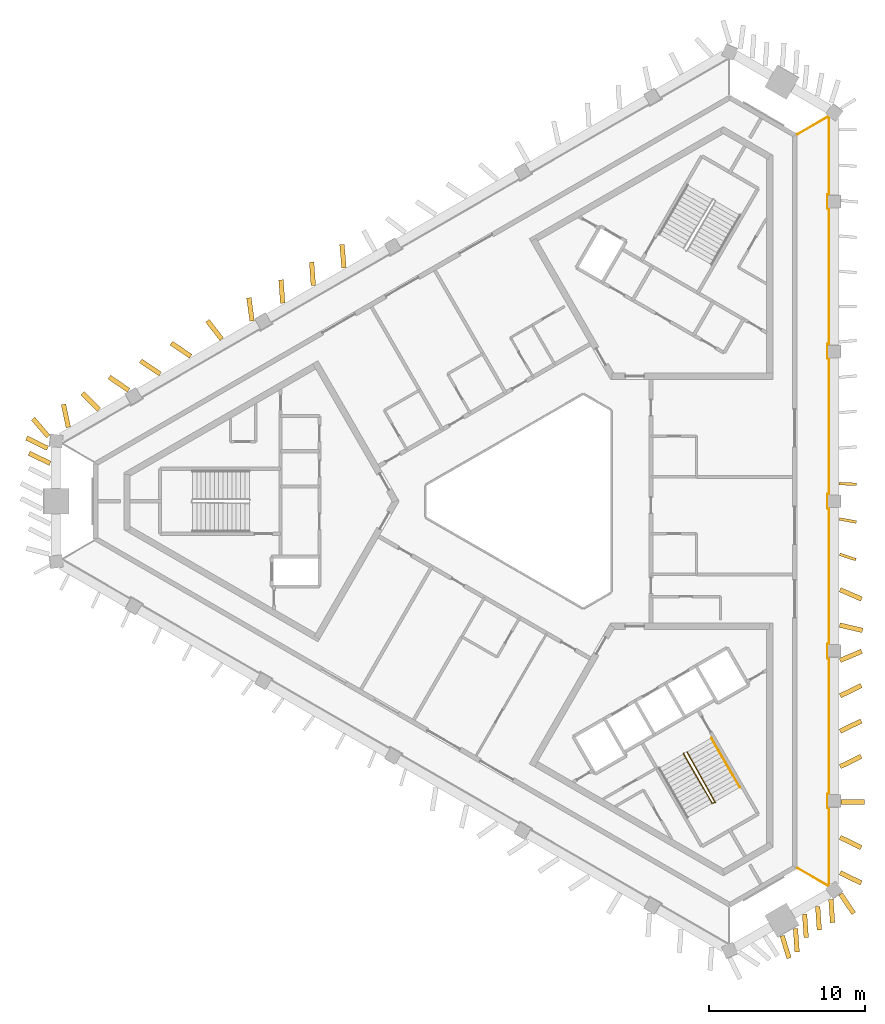
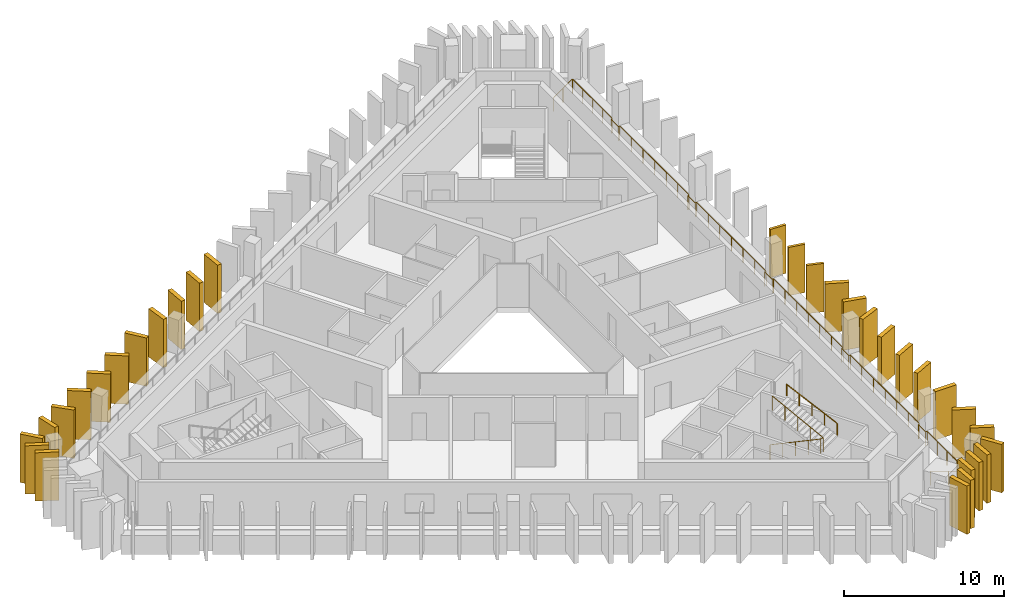
# One storey, part 8 of 9: 31 shading devices, 3 railings.
"""IFC4 building model written with IfcOpenShell, lengths in metres."""

from ifc_helpers import new_model, si_unit, direction, frame, frame_2d, origin, origin_2d, place, context, subcontext, project, spatial, rectangle, circle, extrude, material, layer, layer_set, type_object, element, save


model = new_model("IFC4")

# Units and contexts
model_context = context("Model", 3, precision=1e-05, world=origin(), true_north=direction((0.0, 1.0)))
body_context = subcontext(model_context, "Body", "Model", "MODEL_VIEW")
ifc_project = project(units=[si_unit("LENGTHUNIT", "METRE"), si_unit("AREAUNIT", "SQUARE_METRE"), si_unit("VOLUMEUNIT", "CUBIC_METRE"), si_unit("PLANEANGLEUNIT", "RADIAN"), si_unit("MASSUNIT", "GRAM", prefix="KILO")], contexts=[model_context])

# Site, building, storey
site_placement = place(None, origin())
site = spatial("IfcSite", under=ifc_project, at=site_placement, CompositionType="ELEMENT")
building_placement = place(site_placement, origin())
building = spatial("IfcBuilding", under=site, at=building_placement, Name="Jabali Bay Hotel Tower and Convention Centre", CompositionType="ELEMENT")
storey_placement = place(building_placement, frame((0.0, 0.0, 288.60009765625)))
storey = spatial("IfcBuildingStorey", under=building, at=storey_placement, Name="L71", CompositionType="ELEMENT", Elevation=288.60009765625)

# Railing
ifc_material_1 = material(Name="Glass", Category="glass")
railing_type_1 = type_object("IfcRailingType", Name="Loggia glass guard 1100", PredefinedType="BALUSTRADE", material=ifc_material_1)
railing_1_placement = place(storey_placement, frame((91.479248046875, 103.46533203125, 0.0)))
element("IfcRailing", 1, at=railing_1_placement, inside=storey, type_object=railing_type_1, Name="Loggia glass guard L71", PredefinedType="BALUSTRADE", context=body_context, shape_type="SweptSolid", body=[
    extrude(circle(Radius=0.02490234375, at=origin_2d()), frame((0.0, 0.0, 1.0751953125), z_axis=(0.865989003036, 0.500063042646, 0.0), x_axis=(-0.495784933994, 0.858580347067, 0.13052619222)), (0.0, 0.0, 1.0), 2.275146484375),
    extrude(circle(Radius=0.02490234375, at=origin_2d()), frame((1.97021484375, 1.1376953125, 1.0751953125), z_axis=(0.798426583615, -0.602092177808, 0.0), x_axis=(0.596941195761, 0.791595933509, 0.13052619222)), (0.0, 0.0, 1.0), 0.037353515625),
    extrude(circle(Radius=0.02490234375, at=origin_2d()), frame((2.0, 1.115234375, 1.0751953125), z_axis=(0.0, -1.0, 0.0), x_axis=(0.991444861374, 0.0, 0.13052619222)), (0.0, 0.0, 1.0), 4.96630859375),
    extrude(circle(Radius=0.02490234375, at=origin_2d()), frame((2.0, -3.85107421875, 1.0751953125), z_axis=(-1.0, 0.0, 0.0), x_axis=(0.0, -0.991444861374, 0.13052619222)), (0.0, 0.0, 1.0), 0.10009765625),
    extrude(circle(Radius=0.02490234375, at=origin_2d()), frame((1.89990234375, -3.85107421875, 1.0751953125), z_axis=(0.0, -1.0, 0.0), x_axis=(0.991444861374, 0.0, 0.13052619222)), (0.0, 0.0, 1.0), 0.89990234375),
    extrude(circle(Radius=0.02490234375, at=origin_2d()), frame((1.89990234375, -4.7509765625, 1.0751953125), z_axis=(1.0, 0.0, 0.0), x_axis=(0.0, 0.991444861374, 0.13052619222)), (0.0, 0.0, 1.0), 0.10009765625),
    extrude(circle(Radius=0.02490234375, at=origin_2d()), frame((2.0, -4.7509765625, 1.0751953125), z_axis=(0.0, -1.0, 0.0), x_axis=(0.991444861374, 0.0, 0.13052619222)), (0.0, 0.0, 1.0), 8.68212890625),
    extrude(circle(Radius=0.02490234375, at=origin_2d()), frame((2.0, -13.43310546875, 1.0751953125), z_axis=(-1.0, 0.0, 0.0), x_axis=(0.0, -0.991444861374, 0.13052619222)), (0.0, 0.0, 1.0), 0.10009765625),
    extrude(circle(Radius=0.02490234375, at=origin_2d()), frame((1.89990234375, -13.43310546875, 1.0751953125), z_axis=(0.0, -1.0, 0.0), x_axis=(0.991444861374, 0.0, 0.13052619222)), (0.0, 0.0, 1.0), 0.900146484375),
    extrude(circle(Radius=0.02490234375, at=origin_2d()), frame((1.89990234375, -14.333251953125, 1.0751953125), z_axis=(1.0, 0.0, 0.0), x_axis=(0.0, 0.991444861374, 0.13052619222)), (0.0, 0.0, 1.0), 0.10009765625),
    extrude(circle(Radius=0.02490234375, at=origin_2d()), frame((2.0, -14.333251953125, 1.0751953125), z_axis=(0.0, -1.0, 0.0), x_axis=(0.991444861374, 0.0, 0.13052619222)), (0.0, 0.0, 1.0), 8.68212890625),
    extrude(circle(Radius=0.02490234375, at=origin_2d()), frame((2.0, -23.015380859375, 1.0751953125), z_axis=(-1.0, 0.0, 0.0), x_axis=(0.0, -0.991444861374, 0.13052619222)), (0.0, 0.0, 1.0), 0.10009765625),
    extrude(circle(Radius=0.02490234375, at=origin_2d()), frame((1.89990234375, -23.015380859375, 1.0751953125), z_axis=(0.0, -1.0, 0.0), x_axis=(0.991444861374, 0.0, 0.13052619222)), (0.0, 0.0, 1.0), 0.89990234375),
    extrude(circle(Radius=0.02490234375, at=origin_2d()), frame((1.89990234375, -23.915283203125, 1.0751953125), z_axis=(1.0, 0.0, 0.0), x_axis=(0.0, 0.991444861374, 0.13052619222)), (0.0, 0.0, 1.0), 0.10009765625),
    extrude(circle(Radius=0.02490234375, at=origin_2d()), frame((2.0, -23.915283203125, 1.0751953125), z_axis=(0.0, -1.0, 0.0), x_axis=(0.991444861374, 0.0, 0.13052619222)), (0.0, 0.0, 1.0), 8.68212890625),
    extrude(circle(Radius=0.02490234375, at=origin_2d()), frame((2.0, -32.597412109375, 1.0751953125), z_axis=(-1.0, 0.0, 0.0), x_axis=(0.0, -0.991444861374, 0.13052619222)), (0.0, 0.0, 1.0), 0.10009765625),
    extrude(circle(Radius=0.02490234375, at=origin_2d()), frame((1.89990234375, -32.597412109375, 1.0751953125), z_axis=(0.0, -1.0, 0.0), x_axis=(0.991444861374, 0.0, 0.13052619222)), (0.0, 0.0, 1.0), 0.900146484375),
    extrude(circle(Radius=0.02490234375, at=origin_2d()), frame((1.89990234375, -33.49755859375, 1.0751953125), z_axis=(1.0, 0.0, 0.0), x_axis=(0.0, 0.991444861374, 0.13052619222)), (0.0, 0.0, 1.0), 0.10009765625),
    extrude(circle(Radius=0.02490234375, at=origin_2d()), frame((2.0, -33.49755859375, 1.0751953125), z_axis=(0.0, -1.0, 0.0), x_axis=(0.991444861374, 0.0, 0.13052619222)), (0.0, 0.0, 1.0), 8.68212890625),
    extrude(circle(Radius=0.02490234375, at=origin_2d()), frame((2.0, -42.1796875, 1.0751953125), z_axis=(-1.0, 0.0, 0.0), x_axis=(0.0, -0.991444861374, 0.13052619222)), (0.0, 0.0, 1.0), 0.10009765625),
    extrude(circle(Radius=0.02490234375, at=origin_2d()), frame((1.89990234375, -42.1796875, 1.0751953125), z_axis=(0.0, -1.0, 0.0), x_axis=(0.991444861374, 0.0, 0.13052619222)), (0.0, 0.0, 1.0), 0.89990234375),
    extrude(circle(Radius=0.02490234375, at=origin_2d()), frame((1.89990234375, -43.07958984375, 1.0751953125), z_axis=(1.0, 0.0, 0.0), x_axis=(0.0, 0.991444861374, 0.13052619222)), (0.0, 0.0, 1.0), 0.10009765625),
    extrude(circle(Radius=0.02490234375, at=origin_2d()), frame((2.0, -43.07958984375, 1.0751953125), z_axis=(0.0, -1.0, 0.0), x_axis=(0.991444861374, 0.0, 0.13052619222)), (0.0, 0.0, 1.0), 4.96630859375),
    extrude(circle(Radius=0.02490234375, at=origin_2d()), frame((2.0, -48.0458984375, 1.0751953125), z_axis=(-0.798426583615, -0.602092177808, 0.0), x_axis=(0.596941195761, -0.791595933509, 0.13052619222)), (0.0, 0.0, 1.0), 0.037353515625),
    extrude(circle(Radius=0.02490234375, at=origin_2d()), frame((1.97021484375, -48.068359375, 1.0751953125), z_axis=(-0.865989003036, 0.500063042646, 0.0), x_axis=(-0.495784933994, -0.858580347067, 0.13052619222)), (0.0, 0.0, 1.0), 2.275146484375),
    extrude(circle(Radius=0.02001953125, at=origin_2d()), origin(), (0.0, 0.0, 1.0), 1.050048828125),
    extrude(circle(Radius=0.02001953125, at=origin_2d()), frame((0.985107421875, 0.56884765625, 0.0)), (0.0, 0.0, 1.0), 1.050048828125),
    extrude(circle(Radius=0.02001953125, at=origin_2d()), frame((1.97021484375, 1.1376953125, 0.0)), (0.0, 0.0, 1.0), 1.050048828125),
    extrude(circle(Radius=0.02001953125, at=origin_2d()), frame((2.0, 1.115234375, 0.0)), (0.0, 0.0, 1.0), 1.050048828125),
    extrude(circle(Radius=0.02001953125, at=origin_2d()), frame((2.0, -0.12646484375, 0.0)), (0.0, 0.0, 1.0), 1.050048828125),
    extrude(circle(Radius=0.02001953125, at=origin_2d()), frame((2.0, -1.367919921875, 0.0)), (0.0, 0.0, 1.0), 1.050048828125),
    extrude(circle(Radius=0.02001953125, at=origin_2d()), frame((2.0, -2.609375, 0.0)), (0.0, 0.0, 1.0), 1.050048828125),
    extrude(circle(Radius=0.02001953125, at=origin_2d()), frame((2.0, -3.85107421875, 0.0)), (0.0, 0.0, 1.0), 1.050048828125),
    extrude(circle(Radius=0.02001953125, at=origin_2d()), frame((1.89990234375, -3.85107421875, 0.0)), (0.0, 0.0, 1.0), 1.050048828125),
    extrude(circle(Radius=0.02001953125, at=origin_2d()), frame((1.89990234375, -4.7509765625, 0.0)), (0.0, 0.0, 1.0), 1.050048828125),
    extrude(circle(Radius=0.02001953125, at=origin_2d()), frame((2.0, -4.7509765625, 0.0)), (0.0, 0.0, 1.0), 1.050048828125),
    extrude(circle(Radius=0.02001953125, at=origin_2d()), frame((2.0, -6.197998046875, 0.0)), (0.0, 0.0, 1.0), 1.050048828125),
    extrude(circle(Radius=0.02001953125, at=origin_2d()), frame((2.0, -7.64501953125, 0.0)), (0.0, 0.0, 1.0), 1.050048828125),
    extrude(circle(Radius=0.02001953125, at=origin_2d()), frame((2.0, -9.092041015625, 0.0)), (0.0, 0.0, 1.0), 1.050048828125),
    extrude(circle(Radius=0.02001953125, at=origin_2d()), frame((2.0, -10.5390625, 0.0)), (0.0, 0.0, 1.0), 1.050048828125),
    extrude(circle(Radius=0.02001953125, at=origin_2d()), frame((2.0, -11.986083984375, 0.0)), (0.0, 0.0, 1.0), 1.050048828125),
    extrude(circle(Radius=0.02001953125, at=origin_2d()), frame((2.0, -13.43310546875, 0.0)), (0.0, 0.0, 1.0), 1.050048828125),
    extrude(circle(Radius=0.02001953125, at=origin_2d()), frame((1.89990234375, -13.43310546875, 0.0)), (0.0, 0.0, 1.0), 1.050048828125),
    extrude(circle(Radius=0.02001953125, at=origin_2d()), frame((1.89990234375, -14.333251953125, 0.0)), (0.0, 0.0, 1.0), 1.050048828125),
    extrude(circle(Radius=0.02001953125, at=origin_2d()), frame((2.0, -14.333251953125, 0.0)), (0.0, 0.0, 1.0), 1.050048828125),
    extrude(circle(Radius=0.02001953125, at=origin_2d()), frame((2.0, -15.7802734375, 0.0)), (0.0, 0.0, 1.0), 1.050048828125),
    extrude(circle(Radius=0.02001953125, at=origin_2d()), frame((2.0, -17.227294921875, 0.0)), (0.0, 0.0, 1.0), 1.050048828125),
    extrude(circle(Radius=0.02001953125, at=origin_2d()), frame((2.0, -18.67431640625, 0.0)), (0.0, 0.0, 1.0), 1.050048828125),
    extrude(circle(Radius=0.02001953125, at=origin_2d()), frame((2.0, -20.121337890625, 0.0)), (0.0, 0.0, 1.0), 1.050048828125),
    extrude(circle(Radius=0.02001953125, at=origin_2d()), frame((2.0, -21.568359375, 0.0)), (0.0, 0.0, 1.0), 1.050048828125),
    extrude(circle(Radius=0.02001953125, at=origin_2d()), frame((2.0, -23.015380859375, 0.0)), (0.0, 0.0, 1.0), 1.050048828125),
    extrude(circle(Radius=0.02001953125, at=origin_2d()), frame((1.89990234375, -23.015380859375, 0.0)), (0.0, 0.0, 1.0), 1.050048828125),
    extrude(circle(Radius=0.02001953125, at=origin_2d()), frame((1.89990234375, -23.915283203125, 0.0)), (0.0, 0.0, 1.0), 1.050048828125),
    extrude(circle(Radius=0.02001953125, at=origin_2d()), frame((2.0, -23.915283203125, 0.0)), (0.0, 0.0, 1.0), 1.050048828125),
    extrude(circle(Radius=0.02001953125, at=origin_2d()), frame((2.0, -25.3623046875, 0.0)), (0.0, 0.0, 1.0), 1.050048828125),
    extrude(circle(Radius=0.02001953125, at=origin_2d()), frame((2.0, -26.809326171875, 0.0)), (0.0, 0.0, 1.0), 1.050048828125),
    extrude(circle(Radius=0.02001953125, at=origin_2d()), frame((2.0, -28.25634765625, 0.0)), (0.0, 0.0, 1.0), 1.050048828125),
    extrude(circle(Radius=0.02001953125, at=origin_2d()), frame((2.0, -29.703369140625, 0.0)), (0.0, 0.0, 1.0), 1.050048828125),
    extrude(circle(Radius=0.02001953125, at=origin_2d()), frame((2.0, -31.150390625, 0.0)), (0.0, 0.0, 1.0), 1.050048828125),
    extrude(circle(Radius=0.02001953125, at=origin_2d()), frame((2.0, -32.597412109375, 0.0)), (0.0, 0.0, 1.0), 1.050048828125),
    extrude(circle(Radius=0.02001953125, at=origin_2d()), frame((1.89990234375, -32.597412109375, 0.0)), (0.0, 0.0, 1.0), 1.050048828125),
    extrude(circle(Radius=0.02001953125, at=origin_2d()), frame((1.89990234375, -33.49755859375, 0.0)), (0.0, 0.0, 1.0), 1.050048828125),
    extrude(circle(Radius=0.02001953125, at=origin_2d()), frame((2.0, -33.49755859375, 0.0)), (0.0, 0.0, 1.0), 1.050048828125),
    extrude(circle(Radius=0.02001953125, at=origin_2d()), frame((2.0, -34.944580078125, 0.0)), (0.0, 0.0, 1.0), 1.050048828125),
    extrude(circle(Radius=0.02001953125, at=origin_2d()), frame((2.0, -36.3916015625, 0.0)), (0.0, 0.0, 1.0), 1.050048828125),
    extrude(circle(Radius=0.02001953125, at=origin_2d()), frame((2.0, -37.838623046875, 0.0)), (0.0, 0.0, 1.0), 1.050048828125),
    extrude(circle(Radius=0.02001953125, at=origin_2d()), frame((2.0, -39.28564453125, 0.0)), (0.0, 0.0, 1.0), 1.050048828125),
    extrude(circle(Radius=0.02001953125, at=origin_2d()), frame((2.0, -40.732666015625, 0.0)), (0.0, 0.0, 1.0), 1.050048828125),
    extrude(circle(Radius=0.02001953125, at=origin_2d()), frame((2.0, -42.1796875, 0.0)), (0.0, 0.0, 1.0), 1.050048828125),
    extrude(circle(Radius=0.02001953125, at=origin_2d()), frame((1.89990234375, -42.1796875, 0.0)), (0.0, 0.0, 1.0), 1.050048828125),
    extrude(circle(Radius=0.02001953125, at=origin_2d()), frame((1.89990234375, -43.07958984375, 0.0)), (0.0, 0.0, 1.0), 1.050048828125),
    extrude(circle(Radius=0.02001953125, at=origin_2d()), frame((2.0, -43.07958984375, 0.0)), (0.0, 0.0, 1.0), 1.050048828125),
    extrude(circle(Radius=0.02001953125, at=origin_2d()), frame((2.0, -44.3212890625, 0.0)), (0.0, 0.0, 1.0), 1.050048828125),
    extrude(circle(Radius=0.02001953125, at=origin_2d()), frame((2.0, -45.562744140625, 0.0)), (0.0, 0.0, 1.0), 1.050048828125),
    extrude(circle(Radius=0.02001953125, at=origin_2d()), frame((2.0, -46.80419921875, 0.0)), (0.0, 0.0, 1.0), 1.050048828125),
    extrude(circle(Radius=0.02001953125, at=origin_2d()), frame((2.0, -48.0458984375, 0.0)), (0.0, 0.0, 1.0), 1.050048828125),
    extrude(circle(Radius=0.02001953125, at=origin_2d()), frame((1.97021484375, -48.068359375, 0.0)), (0.0, 0.0, 1.0), 1.050048828125),
    extrude(circle(Radius=0.02001953125, at=origin_2d()), frame((0.985107421875, -47.49951171875, 0.0)), (0.0, 0.0, 1.0), 1.050048828125),
    extrude(circle(Radius=0.02001953125, at=origin_2d()), frame((0.0, -46.9306640625, 0.0)), (0.0, 0.0, 1.0), 1.050048828125),
])

# Shading devices
ifc_material_2 = material(Name="Precast concrete C60", Category="concrete")
ifc_layer_1 = layer(ifc_material_2, 0.179931640625)
ifc_layer_set_1 = layer_set([ifc_layer_1], Name="Precast concrete C60")
shading_device_type_1 = type_object("IfcShadingDeviceType", Name="Precast fin 3680 x 1100", PredefinedType="USERDEFINED", material=ifc_layer_set_1)
shading_device_1_placement = place(storey_placement, frame((94.149169921875, 76.607177734375, 0.010009765625), z_axis=(0.0, 0.0, 1.0), x_axis=(0.951507590599, -0.30762526722, 0.0)))
element("IfcShadingDevice", 2, at=shading_device_1_placement, inside=storey, type_object=shading_device_type_1, Name="Fin L71 009", ObjectType="FIN", PredefinedType="USERDEFINED", context=body_context, shape_type="SweptSolid", body=[
    extrude(rectangle(XDim=1.099853515625, YDim=0.179931640625, at=frame_2d((0.5498046875, 0.0))), origin(), (0.0, 0.0, 1.0), 3.679931640625),
])
shading_device_2_placement = place(storey_placement, frame((94.137939453125, 78.869140625, 0.010009765625), z_axis=(0.0, 0.0, 1.0), x_axis=(0.983177350577, -0.182653489735, 0.0)))
element("IfcShadingDevice", 3, at=shading_device_2_placement, inside=storey, type_object=shading_device_type_1, Name="Fin L71 010", ObjectType="FIN", PredefinedType="USERDEFINED", context=body_context, shape_type="SweptSolid", body=[
    extrude(rectangle(XDim=1.10009765625, YDim=0.179931640625, at=frame_2d((0.550048828125, 0.0))), origin(), (0.0, 0.0, 1.0), 3.679931640625),
])
shading_device_3_placement = place(storey_placement, frame((94.12548828125, 81.130859375, 0.010009765625), z_axis=(0.0, 0.0, 1.0), x_axis=(0.99900437653, -0.044612281645, 0.0)))
element("IfcShadingDevice", 4, at=shading_device_3_placement, inside=storey, type_object=shading_device_type_1, Name="Fin L71 011", ObjectType="FIN", PredefinedType="USERDEFINED", context=body_context, shape_type="SweptSolid", body=[
    extrude(rectangle(XDim=1.099853515625, YDim=0.179931640625, at=frame_2d((0.5498046875, 0.0))), origin(), (0.0, 0.0, 1.0), 3.679931640625),
])
ifc_layer_2 = layer(ifc_material_2, 0.300048828125)
ifc_layer_set_2 = layer_set([ifc_layer_2], Name="Precast concrete C60")
shading_device_type_2 = type_object("IfcShadingDeviceType", Name="Precast fin 3680 x 1500", PredefinedType="USERDEFINED", material=ifc_layer_set_2)
for number, where, z_axis, x_axis, name in (
    (5, (94.187255859375, 56.2509765625, 0.010009765625), (0.0, 0.0, 1.0), (0.899129499022, -0.43768269784, 0.0), "Fin L71 000"),
    (6, (94.187255859375, 58.5126953125, 0.010009765625), (0.0, 0.0, 1.0), (0.899129499022, -0.43768269784, 0.0), "Fin L71 001"),
    (7, (94.2294921875, 60.774658203125, 0.010009765625), (0.0, 0.0, 1.0), (0.999993589251, -0.003580706212, 0.0), "Fin L71 002"),
    (8, (94.187255859375, 63.036376953125, 0.010009765625), (0.0, 0.0, 1.0), (0.899129499022, 0.43768269784, 0.0), "Fin L71 003"),
    (9, (94.187255859375, 65.298095703125, 0.010009765625), (0.0, 0.0, 1.0), (0.899129499022, 0.43768269784, 0.0), "Fin L71 004"),
    (10, (94.187255859375, 67.56005859375, 0.010009765625), (0.0, 0.0, 1.0), (0.89928872882, 0.437355441509, 0.0), "Fin L71 005"),
):
    element("IfcShadingDevice", number, at=place(storey_placement, frame(where, z_axis=z_axis, x_axis=x_axis)), inside=storey, type_object=shading_device_type_2, Name=name, ObjectType="FIN", PredefinedType="USERDEFINED", context=body_context, shape_type="SweptSolid", body=[
        extrude(rectangle(XDim=1.5, YDim=0.300048828125, at=frame_2d((0.75, 0.0))), origin(), (0.0, 0.0, 1.0), 3.679931640625),
    ])
shading_device_4_placement = place(storey_placement, frame((94.18017578125, 69.82177734375, 0.010009765625), z_axis=(0.0, 0.0, 1.0), x_axis=(0.920670430801, 0.390340822677, 0.0)))
element("IfcShadingDevice", 11, at=shading_device_4_placement, inside=storey, type_object=shading_device_type_2, Name="Fin L71 006", ObjectType="FIN", PredefinedType="USERDEFINED", context=body_context, shape_type="SweptSolid", body=[
    extrude(rectangle(XDim=1.499755859375, YDim=0.300048828125, at=frame_2d((0.75, 0.0))), origin(), (0.0, 0.0, 1.0), 3.679931640625),
])
shading_device_5_placement = place(storey_placement, frame((94.155517578125, 72.083740234375, 0.010009765625), z_axis=(0.0, 0.0, 1.0), x_axis=(0.97385081222, -0.227188458198, 0.0)))
element("IfcShadingDevice", 12, at=shading_device_5_placement, inside=storey, type_object=shading_device_type_2, Name="Fin L71 007", ObjectType="FIN", PredefinedType="USERDEFINED", context=body_context, shape_type="SweptSolid", body=[
    extrude(rectangle(XDim=1.500244140625, YDim=0.300048828125, at=frame_2d((0.75, 0.0))), origin(), (0.0, 0.0, 1.0), 3.679931640625),
])
shading_device_6_placement = place(storey_placement, frame((94.181640625, 74.345458984375, 0.010009765625), z_axis=(0.0, 0.0, 1.0), x_axis=(0.91625817277, -0.400588268465, 0.0)))
element("IfcShadingDevice", 13, at=shading_device_6_placement, inside=storey, type_object=shading_device_type_2, Name="Fin L71 008", ObjectType="FIN", PredefinedType="USERDEFINED", context=body_context, shape_type="SweptSolid", body=[
    extrude(rectangle(XDim=1.499755859375, YDim=0.300048828125, at=frame_2d((0.75, 0.0))), origin(), (0.0, 0.0, 1.0), 3.679931640625),
])
for number, where, z_axis, x_axis, name in (
    (14, (62.46923828125, 94.91845703125, 0.010009765625), (0.0, 0.0, 1.0), (-0.085119552387, 0.996370745155, 0.0), "Fin L71 042"),
    (15, (60.509521484375, 93.789306640625, 0.010009765625), (0.0, 0.0, 1.0), (-0.070634034433, 0.997502297331, 0.0), "Fin L71 043"),
    (16, (58.550537109375, 92.658447265625, 0.010009765625), (0.0, 0.0, 1.0), (-0.070472092405, 0.99751375138, 0.0), "Fin L71 044"),
    (17, (56.596435546875, 91.51953125, 0.010009765625), (0.0, 0.0, 1.0), (-0.13704495336, 0.990564829155, 0.0), "Fin L71 045"),
    (18, (54.65576171875, 90.357421875, 0.010009765625), (0.0, 0.0, 1.0), (-0.613275588206, 0.78986900997, 0.0), "Fin L71 046"),
):
    element("IfcShadingDevice", number, at=place(storey_placement, frame(where, z_axis=z_axis, x_axis=x_axis)), inside=storey, type_object=shading_device_type_2, Name=name, ObjectType="FIN", PredefinedType="USERDEFINED", context=body_context, shape_type="SweptSolid", body=[
        extrude(rectangle(XDim=1.5, YDim=0.300048828125, at=frame_2d((0.75, 0.0))), origin(), (0.0, 0.0, 1.0), 3.679931640625),
    ])
shading_device_7_placement = place(storey_placement, frame((52.67431640625, 89.265625, 0.010009765625), z_axis=(0.0, 0.0, 1.0), x_axis=(-0.828503264027, 0.559984233258, 0.0)))
element("IfcShadingDevice", 19, at=shading_device_7_placement, inside=storey, type_object=shading_device_type_2, Name="Fin L71 047", ObjectType="FIN", PredefinedType="USERDEFINED", context=body_context, shape_type="SweptSolid", body=[
    extrude(rectangle(XDim=1.500244140625, YDim=0.300048828125, at=frame_2d((0.75, 0.0))), origin(), (0.0, 0.0, 1.0), 3.679931640625),
])
shading_device_8_placement = place(storey_placement, frame((50.715576171875, 88.134765625, 0.010009765625), z_axis=(0.0, 0.0, 1.0), x_axis=(-0.828325624162, 0.560246963719, 0.0)))
element("IfcShadingDevice", 20, at=shading_device_8_placement, inside=storey, type_object=shading_device_type_2, Name="Fin L71 048", ObjectType="FIN", PredefinedType="USERDEFINED", context=body_context, shape_type="SweptSolid", body=[
    extrude(rectangle(XDim=1.5, YDim=0.300048828125, at=frame_2d((0.75, 0.0))), origin(), (0.0, 0.0, 1.0), 3.679931640625),
])
shading_device_9_placement = place(storey_placement, frame((48.703125, 87.0966796875, 0.010009765625), z_axis=(0.0, 0.0, 1.0), x_axis=(-0.827083906527, 0.56207847456, 0.0)))
element("IfcShadingDevice", 21, at=shading_device_9_placement, inside=storey, type_object=shading_device_type_2, Name="Fin L71 049", ObjectType="FIN", PredefinedType="USERDEFINED", context=body_context, shape_type="SweptSolid", body=[
    extrude(rectangle(XDim=1.499755859375, YDim=0.300048828125, at=frame_2d((0.75, 0.0))), origin(), (0.0, 0.0, 1.0), 3.679931640625),
])
for number, where, z_axis, x_axis, name in (
    (22, (46.811279296875, 85.849853515625, 0.010009765625), (0.0, 0.0, 1.0), (-0.707350877631, 0.706862600449, 0.0), "Fin L71 050"),
    (23, (44.8486328125, 84.7255859375, 0.010009765625), (0.0, 0.0, 1.0), (-0.206059698664, 0.978539422091, 0.0), "Fin L71 051"),
    (24, (43.529052734375, 83.38330078125, 0.010009765625), (0.0, 0.0, 1.0), (-0.899129499022, 0.43768269784, 0.0), "Fin L71 052"),
    (25, (43.686279296875, 82.41650390625, 0.010009765625), (0.0, 0.0, 1.0), (-0.899129499022, 0.43768269784, 0.0), "Fin L71 053"),
    (26, (90.478515625, 52.223876953125, 0.010009765625), (0.0, 0.0, 1.0), (0.294909183988, -0.955525286531, 0.0), "Fin L71 085"),
    (27, (91.331787109375, 52.67919921875, 0.010009765625), (0.0, 0.0, 1.0), (0.070472092405, -0.99751375138, 0.0), "Fin L71 086"),
):
    element("IfcShadingDevice", number, at=place(storey_placement, frame(where, z_axis=z_axis, x_axis=x_axis)), inside=storey, type_object=shading_device_type_2, Name=name, ObjectType="FIN", PredefinedType="USERDEFINED", context=body_context, shape_type="SweptSolid", body=[
        extrude(rectangle(XDim=1.5, YDim=0.300048828125, at=frame_2d((0.75, 0.0))), origin(), (0.0, 0.0, 1.0), 3.679931640625),
    ])
shading_device_10_placement = place(storey_placement, frame((91.91259765625, 53.6064453125, 0.010009765625), z_axis=(0.0, 0.0, 1.0), x_axis=(0.070483535293, -0.9975129429, 0.0)))
element("IfcShadingDevice", 28, at=shading_device_10_placement, inside=storey, type_object=shading_device_type_2, Name="Fin L71 087", ObjectType="FIN", PredefinedType="USERDEFINED", context=body_context, shape_type="SweptSolid", body=[
    extrude(rectangle(XDim=1.499755859375, YDim=0.300048828125, at=frame_2d((0.75, 0.0))), origin(), (0.0, 0.0, 1.0), 3.679931640625),
])
shading_device_11_placement = place(storey_placement, frame((92.749755859375, 54.08984375, 0.010009765625), z_axis=(0.0, 0.0, 1.0), x_axis=(0.070472092405, -0.99751375138, 0.0)))
element("IfcShadingDevice", 29, at=shading_device_11_placement, inside=storey, type_object=shading_device_type_2, Name="Fin L71 088", ObjectType="FIN", PredefinedType="USERDEFINED", context=body_context, shape_type="SweptSolid", body=[
    extrude(rectangle(XDim=1.5, YDim=0.300048828125, at=frame_2d((0.75, 0.0))), origin(), (0.0, 0.0, 1.0), 3.679931640625),
])
shading_device_12_placement = place(storey_placement, frame((93.596435546875, 54.556396484375, 0.010009765625), z_axis=(0.0, 0.0, 1.0), x_axis=(0.070483535293, -0.9975129429, 0.0)))
element("IfcShadingDevice", 30, at=shading_device_12_placement, inside=storey, type_object=shading_device_type_2, Name="Fin L71 089", ObjectType="FIN", PredefinedType="USERDEFINED", context=body_context, shape_type="SweptSolid", body=[
    extrude(rectangle(XDim=1.499755859375, YDim=0.300048828125, at=frame_2d((0.75, 0.0))), origin(), (0.0, 0.0, 1.0), 3.679931640625),
])
for number, where, z_axis, x_axis, name in (
    (31, (94.21240234375, 54.898681640625, 0.010009765625), (0.0, 0.0, 1.0), (0.559872511196, -0.828578765843, 0.0), "Fin L71 090"),
    (32, (43.568115234375, 84.138427734375, 0.010009765625), (0.0, 0.0, 1.0), (-0.649866080159, 0.76004873387, 0.0), "Fin L71 093"),
):
    element("IfcShadingDevice", number, at=place(storey_placement, frame(where, z_axis=z_axis, x_axis=x_axis)), inside=storey, type_object=shading_device_type_2, Name=name, ObjectType="FIN", PredefinedType="USERDEFINED", context=body_context, shape_type="SweptSolid", body=[
        extrude(rectangle(XDim=1.5, YDim=0.300048828125, at=frame_2d((0.75, 0.0))), origin(), (0.0, 0.0, 1.0), 3.679931640625),
    ])

# Railings
ifc_material_3 = material(Name="Steel Q355B", Category="steel")
railing_type_2 = type_object("IfcRailingType", Name="Stair guard 1100", PredefinedType="GUARDRAIL", material=ifc_material_3)
railing_2_placement = place(storey_placement, frame((84.199951171875, 63.9150390625, 0.0)))
element("IfcRailing", 33, at=railing_2_placement, inside=storey, type_object=railing_type_2, Name="L71 ST3 stair guard 1", PredefinedType="GUARDRAIL", context=body_context, shape_type="SweptSolid", body=[
    extrude(circle(Radius=0.02392578125, at=origin_2d()), frame((0.0, 0.0, 1.076171875), z_axis=(-0.122196845461, -0.456201556387, 0.881446578591), x_axis=(0.965948051503, -0.258736085224, 0.0)), (0.0, 0.0, 1.0), 0.14990234375),
    extrude(circle(Radius=0.02392578125, at=origin_2d()), frame((-0.018310546875, -0.068359375, 1.2080078125), z_axis=(0.452190331055, -0.783190014029, 0.426775475427), x_axis=(0.866018046521, 0.500012742938, 0.0)), (0.0, 0.0, 1.0), 4.02490234375),
    extrude(circle(Radius=0.02392578125, at=origin_2d()), frame((1.8017578125, -3.220703125, 2.92578125), z_axis=(0.96121063429, 0.275815366736, 0.0), x_axis=(-0.275815366736, 0.96121063429, 0.0)), (0.0, 0.0, 1.0), 0.206298828125),
    extrude(circle(Radius=0.02392578125, at=origin_2d()), frame((2.0, -3.163818359375, 2.92578125), z_axis=(-0.436470229993, 0.780146179382, 0.448180406895), x_axis=(-0.872702246529, -0.488252792008, 0.0)), (0.0, 0.0, 1.0), 4.1279296875),
    extrude(circle(Radius=0.02099609375, at=origin_2d()), origin(), (0.0, 0.0, 1.0), 1.052001953125),
    extrude(circle(Radius=0.02099609375, at=origin_2d()), frame((-0.018310546875, -0.068359375, 0.132080078125)), (0.0, 0.0, 1.0), 1.052001953125),
    extrude(circle(Radius=0.02099609375, at=origin_2d()), frame((0.436767578125, -0.8564453125, 0.5615234375)), (0.0, 0.0, 1.0), 1.052001953125),
    extrude(circle(Radius=0.02099609375, at=origin_2d()), frame((0.8916015625, -1.64453125, 0.990966796875)), (0.0, 0.0, 1.0), 1.052001953125),
    extrude(circle(Radius=0.02099609375, at=origin_2d()), frame((1.3466796875, -2.4326171875, 1.42041015625)), (0.0, 0.0, 1.0), 1.052001953125),
    extrude(circle(Radius=0.02099609375, at=origin_2d()), frame((1.8017578125, -3.220703125, 1.849853515625)), (0.0, 0.0, 1.0), 1.052001953125),
    extrude(circle(Radius=0.02099609375, at=origin_2d()), frame((2.0, -3.163818359375, 1.849853515625)), (0.0, 0.0, 1.0), 1.052001953125),
    extrude(circle(Radius=0.02099609375, at=origin_2d()), frame((1.549560546875, -2.358642578125, 2.3125)), (0.0, 0.0, 1.0), 1.052001953125),
    extrude(circle(Radius=0.02099609375, at=origin_2d()), frame((1.09912109375, -1.5537109375, 2.77490234375)), (0.0, 0.0, 1.0), 1.052001953125),
    extrude(circle(Radius=0.02099609375, at=origin_2d()), frame((0.648681640625, -0.74853515625, 3.2373046875)), (0.0, 0.0, 1.0), 1.052001953125),
    extrude(circle(Radius=0.02099609375, at=origin_2d()), frame((0.1982421875, 0.056640625, 3.699951171875)), (0.0, 0.0, 1.0), 1.052001953125),
])
railing_type_3 = type_object("IfcRailingType", Name="Stair handrail 900", PredefinedType="HANDRAIL", material=ifc_material_3)
railing_3_placement = place(storey_placement, frame((87.777099609375, 61.719482421875, 1.98193359375)))
element("IfcRailing", 34, at=railing_3_placement, inside=storey, type_object=railing_type_3, Name="L71 ST3 stair handrail 2", PredefinedType="HANDRAIL", context=body_context, shape_type="SweptSolid", body=[
    extrude(circle(Radius=0.02392578125, at=origin_2d()), frame((0.0, 0.0, 0.8759765625), z_axis=(-0.45217862506, 0.783169739339, 0.426825081763), x_axis=(-0.866018046521, -0.500012742938, 0.0)), (0.0, 0.0, 1.0), 4.025146484375),
    extrude(circle(Radius=0.02099609375, at=origin_2d()), origin(), (0.0, 0.0, 1.0), 0.851806640625),
    extrude(circle(Radius=0.02099609375, at=origin_2d()), frame((-0.455078125, 0.7880859375, 0.429443359375)), (0.0, 0.0, 1.0), 0.851806640625),
    extrude(circle(Radius=0.02099609375, at=origin_2d()), frame((-0.91015625, 1.576171875, 0.85888671875)), (0.0, 0.0, 1.0), 0.851806640625),
    extrude(circle(Radius=0.02099609375, at=origin_2d()), frame((-1.364990234375, 2.3642578125, 1.28857421875)), (0.0, 0.0, 1.0), 0.851806640625),
    extrude(circle(Radius=0.02099609375, at=origin_2d()), frame((-1.820068359375, 3.15234375, 1.718017578125)), (0.0, 0.0, 1.0), 0.851806640625),
])

save(model, "model.ifc")
